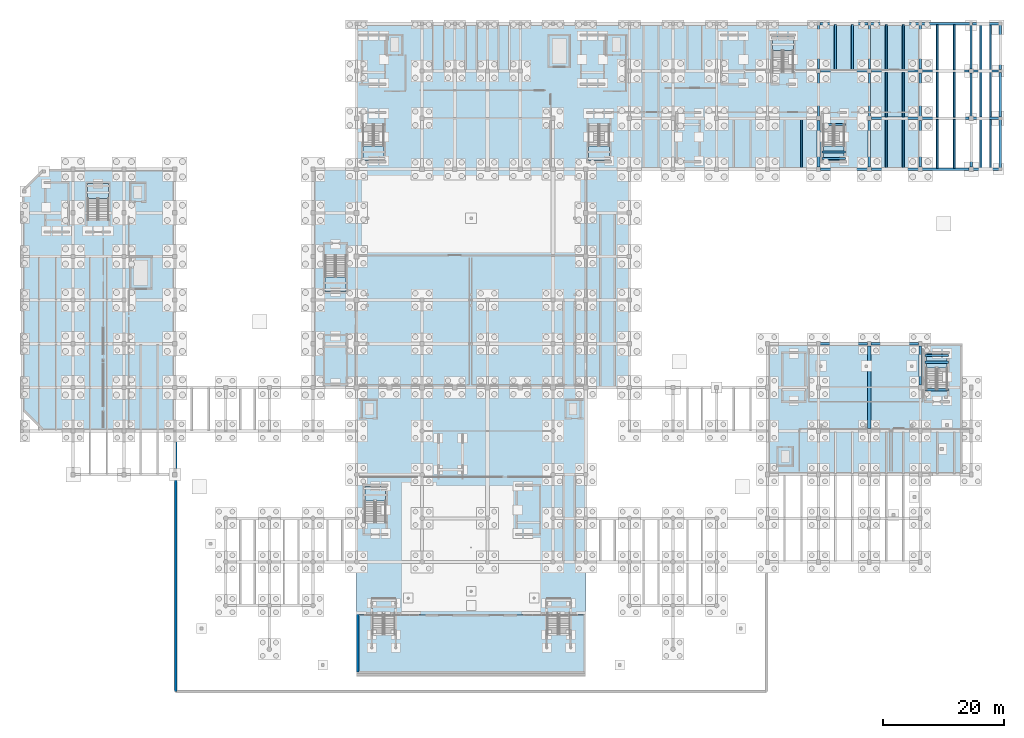
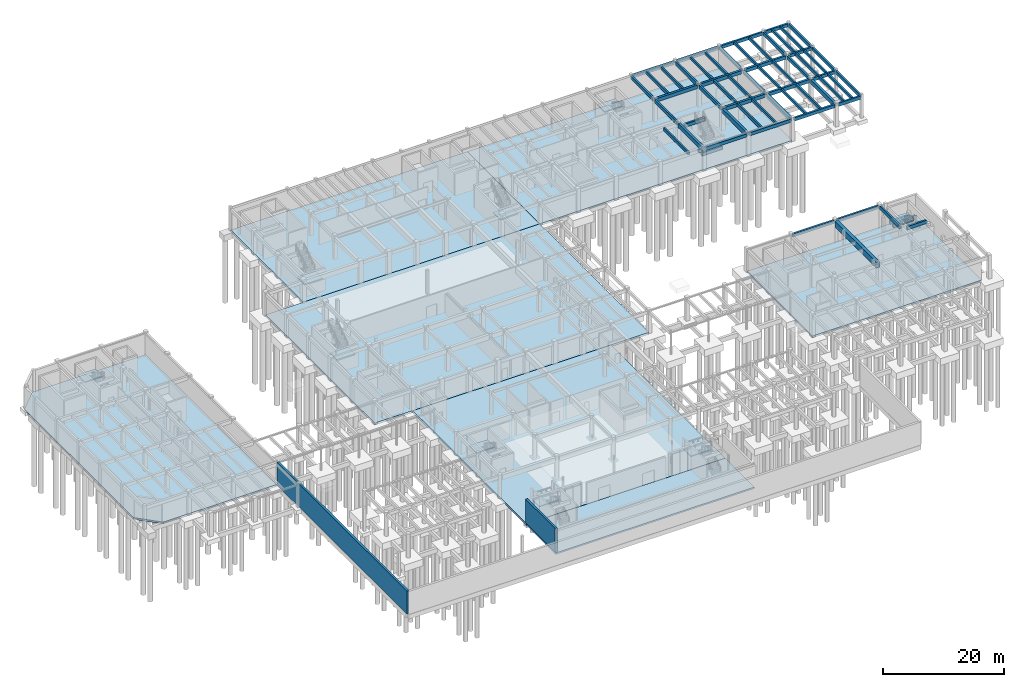
# One storey, part 23 of 46: 61 beams, 17 slabs, 2 walls, 10 elements without a shape of their own.
"""IFC4 building model written with IfcOpenShell, lengths in metres."""

from ifc_helpers import new_model, si_unit, direction, frame, frame_2d, origin, origin_2d, place, context, subcontext, project, spatial, polyline, rectangle, outline, extrude, material, layer, layer_set, material_profile, profile_set, type_object, element, aggregate, save


model = new_model("IFC4")

# Units and contexts
model_context = context("Model", 3, precision=1e-05, world=origin(), true_north=direction((0.0, 1.0)))
body_context = subcontext(model_context, "Body", "Model", "MODEL_VIEW")
ifc_project = project(units=[si_unit("LENGTHUNIT", "METRE"), si_unit("AREAUNIT", "SQUARE_METRE"), si_unit("VOLUMEUNIT", "CUBIC_METRE"), si_unit("PLANEANGLEUNIT", "RADIAN"), si_unit("MASSUNIT", "GRAM", prefix="KILO")], contexts=[model_context])

# Site, building, storey
site_placement = place(None, origin())
site = spatial("IfcSite", under=ifc_project, at=site_placement, CompositionType="ELEMENT")
building_placement = place(site_placement, origin())
building = spatial("IfcBuilding", under=site, at=building_placement, Name="Tazoul Stagehouse", CompositionType="ELEMENT")
storey_placement = place(building_placement, frame((0.0, 0.0, -4.800048828125)))
storey = spatial("IfcBuildingStorey", under=building, at=storey_placement, Name="B1", CompositionType="ELEMENT", Elevation=-4.800048828125)

# Beams
ifc_material_1 = material(Name="Concrete C40/50", Category="concrete")
ifc_material_profile_1 = material_profile(ifc_material_1, rectangle(XDim=0.60009765625, YDim=1.199951171875, at=origin_2d()), Name="RC 600x1200")
ifc_profile_set_1 = profile_set([ifc_material_profile_1], Name="Concrete C40/50")
beam_type_1 = type_object("IfcBeamType", Name="RC Long-Span Girder 600x1200", PredefinedType="BEAM", material=ifc_profile_set_1)
beam_1_placement = place(storey_placement, frame((142.199951171875, 44.97509765625, 3.91796875), z_axis=(0.0, 1.0, 0.0), x_axis=(-1.0, 0.0, 0.0)))
element("IfcBeam", 1, at=beam_1_placement, inside=storey, type_object=beam_type_1, Name="B1 Beam BM-05 21/G-J", PredefinedType="BEAM", context=body_context, shape_type="SweptSolid", body=[
    extrude(rectangle(XDim=0.60009765625, YDim=1.199951171875, at=origin_2d()), origin(), (0.0, 0.0, 1.0), 13.64990234375),
])
ifc_material_profile_2 = material_profile(ifc_material_1, rectangle(XDim=0.35009765625, YDim=0.64990234375, at=origin_2d()), Name="RC 350x650")
ifc_profile_set_2 = profile_set([ifc_material_profile_2], Name="Concrete C40/50")
beam_type_2 = type_object("IfcBeamType", Name="RC Perimeter Spandrel 350x650 (Exterior)", PredefinedType="SPANDREL", material=ifc_profile_set_2)
beam_2_placement = place(storey_placement, frame((134.074951171875, 59.0, 4.193115234375), z_axis=(1.0, 0.0, 0.0), x_axis=(0.0, 1.0, 0.0)))
element("IfcBeam", 2, at=beam_2_placement, inside=storey, type_object=beam_type_2, Name="B1 Beam SP-01E J/20-21", PredefinedType="SPANDREL", context=body_context, shape_type="SweptSolid", body=[
    extrude(rectangle(XDim=0.35009765625, YDim=0.64990234375, at=origin_2d()), origin(), (0.0, 0.0, 1.0), 7.85009765625),
])
beam_3_placement = place(storey_placement, frame((142.47509765625, 59.0, 4.193115234375), z_axis=(1.0, 0.0, 0.0), x_axis=(0.0, 1.0, 0.0)))
element("IfcBeam", 3, at=beam_3_placement, inside=storey, type_object=beam_type_2, Name="B1 Beam SP-01E J/21-22", PredefinedType="SPANDREL", context=body_context, shape_type="SweptSolid", body=[
    extrude(rectangle(XDim=0.35009765625, YDim=0.64990234375, at=origin_2d()), origin(), (0.0, 0.0, 1.0), 7.849853515625),
])
for number, where, z_axis, x_axis, name in (
    (4, (134.125, 87.800048828125, 4.153076171875), (1.0, 0.0, 0.0), (0.0, 1.0, 0.0), "B1 Beam SP-01E N/20-21"),
    (5, (142.52490234375, 87.800048828125, 4.153076171875), (1.0, 0.0, 0.0), (0.0, 1.0, 0.0), "B1 Beam SP-01E N/21-22"),
    (6, (150.925048828125, 87.800048828125, 4.153076171875), (1.0, 0.0, 0.0), (0.0, 1.0, 0.0), "B1 Beam SP-01E N/22-23"),
):
    element("IfcBeam", number, at=place(storey_placement, frame(where, z_axis=z_axis, x_axis=x_axis)), inside=storey, type_object=beam_type_2, Name=name, PredefinedType="SPANDREL", context=body_context, shape_type="SweptSolid", body=[
        extrude(rectangle(XDim=0.35009765625, YDim=0.64990234375, at=origin_2d()), origin(), (0.0, 0.0, 1.0), 7.75),
    ])
beam_4_placement = place(storey_placement, frame((159.324951171875, 87.800048828125, 4.153076171875), z_axis=(1.0, 0.0, 0.0), x_axis=(0.0, 1.0, 0.0)))
element("IfcBeam", 7, at=beam_4_placement, inside=storey, type_object=beam_type_2, Name="B1 Beam SP-01E N/23-24", PredefinedType="SPANDREL", context=body_context, shape_type="SweptSolid", body=[
    extrude(rectangle(XDim=0.35009765625, YDim=0.64990234375, at=origin_2d()), origin(), (0.0, 0.0, 1.0), 4.25),
])
beam_5_placement = place(storey_placement, frame((134.02490234375, 111.800048828125, 4.153076171875), z_axis=(1.0, 0.0, 0.0), x_axis=(0.0, 1.0, 0.0)))
element("IfcBeam", 8, at=beam_5_placement, inside=storey, type_object=beam_type_2, Name="B1 Beam SP-01E R/20-21", PredefinedType="SPANDREL", context=body_context, shape_type="SweptSolid", body=[
    extrude(rectangle(XDim=0.35009765625, YDim=0.64990234375, at=origin_2d()), origin(), (0.0, 0.0, 1.0), 7.9501953125),
])
for number, where, z_axis, x_axis, name in (
    (9, (142.425048828125, 111.800048828125, 4.153076171875), (1.0, 0.0, 0.0), (0.0, 1.0, 0.0), "B1 Beam SP-01E R/21-22"),
    (10, (150.824951171875, 111.800048828125, 4.153076171875), (1.0, 0.0, 0.0), (0.0, 1.0, 0.0), "B1 Beam SP-01E R/22-23"),
):
    element("IfcBeam", number, at=place(storey_placement, frame(where, z_axis=z_axis, x_axis=x_axis)), inside=storey, type_object=beam_type_2, Name=name, PredefinedType="SPANDREL", context=body_context, shape_type="SweptSolid", body=[
        extrude(rectangle(XDim=0.35009765625, YDim=0.64990234375, at=origin_2d()), origin(), (0.0, 0.0, 1.0), 7.949951171875),
    ])
beam_6_placement = place(storey_placement, frame((159.22509765625, 111.800048828125, 4.153076171875), z_axis=(1.0, 0.0, 0.0), x_axis=(0.0, 1.0, 0.0)))
element("IfcBeam", 11, at=beam_6_placement, inside=storey, type_object=beam_type_2, Name="B1 Beam SP-01E R/23-24", PredefinedType="SPANDREL", context=body_context, shape_type="SweptSolid", body=[
    extrude(rectangle(XDim=0.35009765625, YDim=0.64990234375, at=origin_2d()), origin(), (0.0, 0.0, 1.0), 4.349853515625),
])
beam_7_placement = place(storey_placement, frame((163.800048828125, 88.02490234375, 4.153076171875), z_axis=(0.0, 1.0, 0.0), x_axis=(-1.0, 0.0, 0.0)))
element("IfcBeam", 12, at=beam_7_placement, inside=storey, type_object=beam_type_2, Name="B1 Beam SP-01E 24/N-P", PredefinedType="SPANDREL", context=body_context, shape_type="SweptSolid", body=[
    extrude(rectangle(XDim=0.35009765625, YDim=0.64990234375, at=origin_2d()), origin(), (0.0, 0.0, 1.0), 7.9501953125),
])
for number, where, z_axis, x_axis, name in (
    (13, (163.800048828125, 96.425048828125, 4.153076171875), (0.0, 1.0, 0.0), (-1.0, 0.0, 0.0), "B1 Beam SP-01E 24/P-Q"),
    (14, (163.800048828125, 104.22509765625, 4.153076171875), (0.0, 1.0, 0.0), (-1.0, 0.0, 0.0), "B1 Beam SP-01E 24/Q-R"),
):
    element("IfcBeam", number, at=place(storey_placement, frame(where, z_axis=z_axis, x_axis=x_axis)), inside=storey, type_object=beam_type_2, Name=name, PredefinedType="SPANDREL", context=body_context, shape_type="SweptSolid", body=[
        extrude(rectangle(XDim=0.35009765625, YDim=0.64990234375, at=origin_2d()), origin(), (0.0, 0.0, 1.0), 7.349853515625),
    ])
ifc_material_profile_3 = material_profile(ifc_material_1, rectangle(XDim=0.35009765625, YDim=0.64990234375, at=origin_2d()), Name="RC 350x650")
ifc_profile_set_3 = profile_set([ifc_material_profile_3], Name="Concrete C40/50")
beam_type_3 = type_object("IfcBeamType", Name="RC Primary Girder 350x650", PredefinedType="BEAM", material=ifc_profile_set_3)
for number, where, z_axis, x_axis, name in (
    (15, (159.324951171875, 96.199951171875, 4.153076171875), (1.0, 0.0, 0.0), (0.0, 1.0, 0.0), "B1 Beam BM-01 P/23-24"),
    (16, (159.324951171875, 104.0, 4.153076171875), (1.0, 0.0, 0.0), (0.0, 1.0, 0.0), "B1 Beam BM-01 Q/23-24"),
):
    element("IfcBeam", number, at=place(storey_placement, frame(where, z_axis=z_axis, x_axis=x_axis)), inside=storey, type_object=beam_type_3, Name=name, PredefinedType="BEAM", context=body_context, shape_type="SweptSolid", body=[
        extrude(rectangle(XDim=0.35009765625, YDim=0.64990234375, at=origin_2d()), origin(), (0.0, 0.0, 1.0), 4.25),
    ])
beam_8_placement = place(storey_placement, frame((133.800048828125, 96.52490234375, 4.153076171875), z_axis=(0.0, 1.0, 0.0), x_axis=(-1.0, 0.0, 0.0)))
element("IfcBeam", 17, at=beam_8_placement, inside=storey, type_object=beam_type_3, Name="B1 Beam BM-01 20/P-Q", PredefinedType="BEAM", context=body_context, shape_type="SweptSolid", body=[
    extrude(rectangle(XDim=0.35009765625, YDim=0.64990234375, at=origin_2d()), origin(), (0.0, 0.0, 1.0), 7.150146484375),
])
beam_9_placement = place(storey_placement, frame((133.800048828125, 104.324951171875, 4.153076171875), z_axis=(0.0, 1.0, 0.0), x_axis=(-1.0, 0.0, 0.0)))
element("IfcBeam", 18, at=beam_9_placement, inside=storey, type_object=beam_type_3, Name="B1 Beam BM-01 20/Q-R", PredefinedType="BEAM", context=body_context, shape_type="SweptSolid", body=[
    extrude(rectangle(XDim=0.35009765625, YDim=0.64990234375, at=origin_2d()), origin(), (0.0, 0.0, 1.0), 7.25),
])
beam_10_placement = place(storey_placement, frame((142.199951171875, 96.52490234375, 4.153076171875), z_axis=(0.0, 1.0, 0.0), x_axis=(-1.0, 0.0, 0.0)))
element("IfcBeam", 19, at=beam_10_placement, inside=storey, type_object=beam_type_3, Name="B1 Beam BM-01 21/P-Q", PredefinedType="BEAM", context=body_context, shape_type="SweptSolid", body=[
    extrude(rectangle(XDim=0.35009765625, YDim=0.64990234375, at=origin_2d()), origin(), (0.0, 0.0, 1.0), 7.150146484375),
])
beam_11_placement = place(storey_placement, frame((142.199951171875, 104.324951171875, 4.153076171875), z_axis=(0.0, 1.0, 0.0), x_axis=(-1.0, 0.0, 0.0)))
element("IfcBeam", 20, at=beam_11_placement, inside=storey, type_object=beam_type_3, Name="B1 Beam BM-01 21/Q-R", PredefinedType="BEAM", context=body_context, shape_type="SweptSolid", body=[
    extrude(rectangle(XDim=0.35009765625, YDim=0.64990234375, at=origin_2d()), origin(), (0.0, 0.0, 1.0), 7.25),
])
beam_12_placement = place(storey_placement, frame((150.60009765625, 52.175048828125, 4.193115234375), z_axis=(0.0, 1.0, 0.0), x_axis=(-1.0, 0.0, 0.0)))
element("IfcBeam", 21, at=beam_12_placement, inside=storey, type_object=beam_type_3, Name="B1 Beam BM-01 22/H-J", PredefinedType="BEAM", context=body_context, shape_type="SweptSolid", body=[
    extrude(rectangle(XDim=0.35009765625, YDim=0.64990234375, at=origin_2d()), origin(), (0.0, 0.0, 1.0), 6.449951171875),
])
beam_13_placement = place(storey_placement, frame((150.60009765625, 96.52490234375, 4.153076171875), z_axis=(0.0, 1.0, 0.0), x_axis=(-1.0, 0.0, 0.0)))
element("IfcBeam", 22, at=beam_13_placement, inside=storey, type_object=beam_type_3, Name="B1 Beam BM-01 22/P-Q", PredefinedType="BEAM", context=body_context, shape_type="SweptSolid", body=[
    extrude(rectangle(XDim=0.35009765625, YDim=0.64990234375, at=origin_2d()), origin(), (0.0, 0.0, 1.0), 7.150146484375),
])
beam_14_placement = place(storey_placement, frame((150.60009765625, 104.324951171875, 4.153076171875), z_axis=(0.0, 1.0, 0.0), x_axis=(-1.0, 0.0, 0.0)))
element("IfcBeam", 23, at=beam_14_placement, inside=storey, type_object=beam_type_3, Name="B1 Beam BM-01 22/Q-R", PredefinedType="BEAM", context=body_context, shape_type="SweptSolid", body=[
    extrude(rectangle(XDim=0.35009765625, YDim=0.64990234375, at=origin_2d()), origin(), (0.0, 0.0, 1.0), 7.25),
])
beam_15_placement = place(storey_placement, frame((159.0, 96.52490234375, 4.153076171875), z_axis=(0.0, 1.0, 0.0), x_axis=(-1.0, 0.0, 0.0)))
element("IfcBeam", 24, at=beam_15_placement, inside=storey, type_object=beam_type_3, Name="B1 Beam BM-01 23/P-Q", PredefinedType="BEAM", context=body_context, shape_type="SweptSolid", body=[
    extrude(rectangle(XDim=0.35009765625, YDim=0.64990234375, at=origin_2d()), origin(), (0.0, 0.0, 1.0), 7.150146484375),
])
beam_16_placement = place(storey_placement, frame((159.0, 104.324951171875, 4.153076171875), z_axis=(0.0, 1.0, 0.0), x_axis=(-1.0, 0.0, 0.0)))
element("IfcBeam", 25, at=beam_16_placement, inside=storey, type_object=beam_type_3, Name="B1 Beam BM-01 23/Q-R", PredefinedType="BEAM", context=body_context, shape_type="SweptSolid", body=[
    extrude(rectangle(XDim=0.35009765625, YDim=0.64990234375, at=origin_2d()), origin(), (0.0, 0.0, 1.0), 7.25),
])
for number, where, z_axis, x_axis, name in (
    (26, (134.419921875, 89.550048828125, 1.880126953125), (1.0, 0.0, 0.0), (0.0, 1.0, 0.0), "B1 Stair Half-Landing Trimmer BM-01 (ST-B4-1)"),
    (27, (134.419921875, 90.64990234375, 1.880126953125), (1.0, 0.0, 0.0), (0.0, 1.0, 0.0), "B1 Stair Half-Landing Trimmer BM-01 (ST-B4-2)"),
    (28, (134.419921875, 95.199951171875, 4.195068359375), (1.0, 0.0, 0.0), (0.0, 1.0, 0.0), "B1 Stair Landing Trimmer BM-01 (ST-B4-FL)"),
    (29, (151.419921875, 55.949951171875, 1.880126953125), (1.0, 0.0, 0.0), (0.0, 1.0, 0.0), "B1 Stair Half-Landing Trimmer BM-01 (ST-B7-1)"),
    (30, (151.419921875, 57.050048828125, 1.880126953125), (1.0, 0.0, 0.0), (0.0, 1.0, 0.0), "B1 Stair Half-Landing Trimmer BM-01 (ST-B7-2)"),
    (31, (151.419921875, 51.39990234375, 4.195068359375), (1.0, 0.0, 0.0), (0.0, 1.0, 0.0), "B1 Stair Landing Trimmer BM-01 (ST-B7-FL)"),
):
    element("IfcBeam", number, at=place(storey_placement, frame(where, z_axis=z_axis, x_axis=x_axis)), inside=storey, type_object=beam_type_3, Name=name, PredefinedType="BEAM", context=body_context, shape_type="SweptSolid", body=[
        extrude(rectangle(XDim=0.35009765625, YDim=0.64990234375, at=origin_2d()), origin(), (0.0, 0.0, 1.0), 3.81005859375),
    ])
ifc_material_profile_4 = material_profile(ifc_material_1, rectangle(XDim=0.39990234375, YDim=0.699951171875, at=origin_2d()), Name="RC 400x700")
ifc_profile_set_4 = profile_set([ifc_material_profile_4], Name="Concrete C40/50")
beam_type_4 = type_object("IfcBeamType", Name="RC Primary Girder 400x700", PredefinedType="BEAM", material=ifc_profile_set_4)
for number, where, z_axis, x_axis, name in (
    (32, (142.52490234375, 96.199951171875, 4.1279296875), (1.0, 0.0, 0.0), (0.0, 1.0, 0.0), "B1 Beam BM-02 P/21-22"),
    (33, (150.925048828125, 96.199951171875, 4.1279296875), (1.0, 0.0, 0.0), (0.0, 1.0, 0.0), "B1 Beam BM-02 P/22-23"),
    (34, (134.125, 104.0, 4.1279296875), (1.0, 0.0, 0.0), (0.0, 1.0, 0.0), "B1 Beam BM-02 Q/20-21"),
    (35, (142.52490234375, 104.0, 4.1279296875), (1.0, 0.0, 0.0), (0.0, 1.0, 0.0), "B1 Beam BM-02 Q/21-22"),
    (36, (150.925048828125, 104.0, 4.1279296875), (1.0, 0.0, 0.0), (0.0, 1.0, 0.0), "B1 Beam BM-02 Q/22-23"),
):
    element("IfcBeam", number, at=place(storey_placement, frame(where, z_axis=z_axis, x_axis=x_axis)), inside=storey, type_object=beam_type_4, Name=name, PredefinedType="BEAM", context=body_context, shape_type="SweptSolid", body=[
        extrude(rectangle(XDim=0.39990234375, YDim=0.699951171875, at=origin_2d()), origin(), (0.0, 0.0, 1.0), 7.75),
    ])
ifc_material_profile_5 = material_profile(ifc_material_1, rectangle(XDim=0.449951171875, YDim=0.85009765625, at=origin_2d()), Name="RC 450x850")
ifc_profile_set_5 = profile_set([ifc_material_profile_5], Name="Concrete C40/50")
beam_type_5 = type_object("IfcBeamType", Name="RC Primary Girder 450x850", PredefinedType="BEAM", material=ifc_profile_set_5)
for number, where, z_axis, x_axis, name in (
    (37, (133.800048828125, 88.125, 4.052978515625), (0.0, 1.0, 0.0), (-1.0, 0.0, 0.0), "B1 Beam BM-03 20/N-P"),
    (38, (142.199951171875, 88.125, 4.052978515625), (0.0, 1.0, 0.0), (-1.0, 0.0, 0.0), "B1 Beam BM-03 21/N-P"),
    (39, (150.60009765625, 88.125, 4.052978515625), (0.0, 1.0, 0.0), (-1.0, 0.0, 0.0), "B1 Beam BM-03 22/N-P"),
    (40, (159.0, 88.125, 4.052978515625), (0.0, 1.0, 0.0), (-1.0, 0.0, 0.0), "B1 Beam BM-03 23/N-P"),
):
    element("IfcBeam", number, at=place(storey_placement, frame(where, z_axis=z_axis, x_axis=x_axis)), inside=storey, type_object=beam_type_5, Name=name, PredefinedType="BEAM", context=body_context, shape_type="SweptSolid", body=[
        extrude(rectangle(XDim=0.449951171875, YDim=0.85009765625, at=origin_2d()), origin(), (0.0, 0.0, 1.0), 7.75),
    ])
ifc_material_2 = material(Name="Concrete C35/45", Category="concrete")
ifc_material_profile_6 = material_profile(ifc_material_2, rectangle(XDim=0.300048828125, YDim=0.550048828125, at=origin_2d()), Name="RC 300x550")
ifc_profile_set_6 = profile_set([ifc_material_profile_6], Name="Concrete C35/45")
beam_type_6 = type_object("IfcBeamType", Name="RC Rib Joist 300x550", PredefinedType="JOIST", material=ifc_profile_set_6)
for number, where, z_axis, x_axis, name in (
    (41, (131.0, 87.949951171875, 4.203125), (0.0, 1.0, 0.0), (-1.0, 0.0, 0.0), "B1 Joist JS-06 19/N-2"),
    (42, (145.0, 87.949951171875, 4.203125), (0.0, 1.0, 0.0), (-1.0, 0.0, 0.0), "B1 Joist JS-06 21/N-1"),
    (43, (147.800048828125, 87.949951171875, 4.203125), (0.0, 1.0, 0.0), (-1.0, 0.0, 0.0), "B1 Joist JS-06 21/N-2"),
    (44, (153.39990234375, 87.949951171875, 4.203125), (0.0, 1.0, 0.0), (-1.0, 0.0, 0.0), "B1 Joist JS-06 22/N-1"),
    (45, (156.199951171875, 87.949951171875, 4.203125), (0.0, 1.0, 0.0), (-1.0, 0.0, 0.0), "B1 Joist JS-06 22/N-2"),
):
    element("IfcBeam", number, at=place(storey_placement, frame(where, z_axis=z_axis, x_axis=x_axis)), inside=storey, type_object=beam_type_6, Name=name, PredefinedType="JOIST", context=body_context, shape_type="SweptSolid", body=[
        extrude(rectangle(XDim=0.300048828125, YDim=0.550048828125, at=origin_2d()), origin(), (0.0, 0.0, 1.0), 8.074951171875),
    ])
for number, where, z_axis, x_axis, name in (
    (46, (160.60009765625, 87.949951171875, 4.203125), (0.0, 1.0, 0.0), (-1.0, 0.0, 0.0), "B1 Joist JS-06 23/N-1"),
    (47, (162.199951171875, 87.949951171875, 4.203125), (0.0, 1.0, 0.0), (-1.0, 0.0, 0.0), "B1 Joist JS-06 23/N-2"),
):
    element("IfcBeam", number, at=place(storey_placement, frame(where, z_axis=z_axis, x_axis=x_axis)), inside=storey, type_object=beam_type_6, Name=name, PredefinedType="JOIST", context=body_context, shape_type="SweptSolid", body=[
        extrude(rectangle(XDim=0.300048828125, YDim=0.550048828125, at=origin_2d()), origin(), (0.0, 0.0, 1.0), 8.10009765625),
    ])
for number, where, z_axis, x_axis, name in (
    (48, (145.0, 96.375, 4.203125), (0.0, 1.0, 0.0), (-1.0, 0.0, 0.0), "B1 Joist JS-06 21/P-1"),
    (49, (147.800048828125, 96.375, 4.203125), (0.0, 1.0, 0.0), (-1.0, 0.0, 0.0), "B1 Joist JS-06 21/P-2"),
    (50, (153.39990234375, 96.375, 4.203125), (0.0, 1.0, 0.0), (-1.0, 0.0, 0.0), "B1 Joist JS-06 22/P-1"),
    (51, (156.199951171875, 96.375, 4.203125), (0.0, 1.0, 0.0), (-1.0, 0.0, 0.0), "B1 Joist JS-06 22/P-2"),
):
    element("IfcBeam", number, at=place(storey_placement, frame(where, z_axis=z_axis, x_axis=x_axis)), inside=storey, type_object=beam_type_6, Name=name, PredefinedType="JOIST", context=body_context, shape_type="SweptSolid", body=[
        extrude(rectangle(XDim=0.300048828125, YDim=0.550048828125, at=origin_2d()), origin(), (0.0, 0.0, 1.0), 7.449951171875),
    ])
for number, where, z_axis, x_axis, name in (
    (52, (160.60009765625, 96.35009765625, 4.203125), (0.0, 1.0, 0.0), (-1.0, 0.0, 0.0), "B1 Joist JS-06 23/P-1"),
    (53, (162.199951171875, 96.35009765625, 4.203125), (0.0, 1.0, 0.0), (-1.0, 0.0, 0.0), "B1 Joist JS-06 23/P-2"),
):
    element("IfcBeam", number, at=place(storey_placement, frame(where, z_axis=z_axis, x_axis=x_axis)), inside=storey, type_object=beam_type_6, Name=name, PredefinedType="JOIST", context=body_context, shape_type="SweptSolid", body=[
        extrude(rectangle(XDim=0.300048828125, YDim=0.550048828125, at=origin_2d()), origin(), (0.0, 0.0, 1.0), 7.5),
    ])
for number, where, z_axis, x_axis, name in (
    (54, (136.60009765625, 104.175048828125, 4.203125), (0.0, 1.0, 0.0), (-1.0, 0.0, 0.0), "B1 Joist JS-06 20/Q-1"),
    (55, (139.39990234375, 104.175048828125, 4.203125), (0.0, 1.0, 0.0), (-1.0, 0.0, 0.0), "B1 Joist JS-06 20/Q-2"),
    (56, (145.0, 104.175048828125, 4.203125), (0.0, 1.0, 0.0), (-1.0, 0.0, 0.0), "B1 Joist JS-06 21/Q-1"),
    (57, (147.800048828125, 104.175048828125, 4.203125), (0.0, 1.0, 0.0), (-1.0, 0.0, 0.0), "B1 Joist JS-06 21/Q-2"),
    (58, (153.39990234375, 104.175048828125, 4.203125), (0.0, 1.0, 0.0), (-1.0, 0.0, 0.0), "B1 Joist JS-06 22/Q-1"),
    (59, (156.199951171875, 104.175048828125, 4.203125), (0.0, 1.0, 0.0), (-1.0, 0.0, 0.0), "B1 Joist JS-06 22/Q-2"),
):
    element("IfcBeam", number, at=place(storey_placement, frame(where, z_axis=z_axis, x_axis=x_axis)), inside=storey, type_object=beam_type_6, Name=name, PredefinedType="JOIST", context=body_context, shape_type="SweptSolid", body=[
        extrude(rectangle(XDim=0.300048828125, YDim=0.550048828125, at=origin_2d()), origin(), (0.0, 0.0, 1.0), 7.474853515625),
    ])
for number, where, z_axis, x_axis, name in (
    (60, (160.60009765625, 104.14990234375, 4.203125), (0.0, 1.0, 0.0), (-1.0, 0.0, 0.0), "B1 Joist JS-06 23/Q-1"),
    (61, (162.199951171875, 104.14990234375, 4.203125), (0.0, 1.0, 0.0), (-1.0, 0.0, 0.0), "B1 Joist JS-06 23/Q-2"),
):
    element("IfcBeam", number, at=place(storey_placement, frame(where, z_axis=z_axis, x_axis=x_axis)), inside=storey, type_object=beam_type_6, Name=name, PredefinedType="JOIST", context=body_context, shape_type="SweptSolid", body=[
        extrude(rectangle(XDim=0.300048828125, YDim=0.550048828125, at=origin_2d()), origin(), (0.0, 0.0, 1.0), 7.5),
    ])

# Slabs
ifc_layer_1 = layer(ifc_material_2, 0.3798828125, Name="Concrete C35/45")
ifc_layer_set_1 = layer_set([ifc_layer_1], Name="Concrete C35/45")
slab_type_1 = type_object("IfcSlabType", Name="Base Mat Slab 380", PredefinedType="BASESLAB", material=ifc_layer_set_1)
slab_1_placement = place(storey_placement, frame((0.0, 0.0, -0.3798828125)))
element("IfcSlab", 62, at=slab_1_placement, inside=storey, type_object=slab_type_1, Name="B1 Base Mat Slab 380 (V3)", PredefinedType="BASESLAB", context=body_context, shape_type="SweptSolid", body=[
    extrude(outline(polyline([(102.60009765625, 87.800048828125), (102.60009765625, 111.800048828125), (150.60009765625, 111.800048828125), (150.60009765625, 87.800048828125), (102.60009765625, 87.800048828125)])), origin(), (0.0, 0.0, 1.0), 0.3798828125),
])
slab_2_placement = place(storey_placement, frame((0.0, 0.0, -0.3798828125)))
element("IfcSlab", 63, at=slab_2_placement, inside=storey, type_object=slab_type_1, Name="B1 Base Mat Slab 380 (V4)", PredefinedType="BASESLAB", context=body_context, shape_type="SweptSolid", body=[
    extrude(outline(polyline([(125.39990234375, 37.39990234375), (125.39990234375, 59.0), (157.60009765625, 59.0), (157.60009765625, 37.39990234375), (125.39990234375, 37.39990234375)])), origin(), (0.0, 0.0, 1.0), 0.3798828125),
])
slab_3_placement = place(storey_placement, frame((0.0, 0.0, -0.3798828125)))
element("IfcSlab", 64, at=slab_3_placement, inside=storey, type_object=slab_type_1, Name="B1 Base Mat Slab 380 (V6)", PredefinedType="BASESLAB", context=body_context, shape_type="SweptSolid", body=[
    extrude(outline(polyline([(6.0, 44.60009765625), (2.39990234375, 48.199951171875), (2.39990234375, 84.199951171875), (6.0, 87.800048828125), (27.60009765625, 87.800048828125), (27.60009765625, 44.60009765625), (6.0, 44.60009765625)])), origin(), (0.0, 0.0, 1.0), 0.3798828125),
])
ifc_layer_2 = layer(ifc_material_2, 0.39990234375, Name="Concrete C35/45")
ifc_layer_set_2 = layer_set([ifc_layer_2], Name="Concrete C35/45")
slab_type_2 = type_object("IfcSlabType", Name="Base Mat Slab 400", PredefinedType="BASESLAB", material=ifc_layer_set_2)
slab_4_placement = place(storey_placement, frame((0.0, 0.0, -0.39990234375)))
element("IfcSlab", 65, at=slab_4_placement, inside=storey, type_object=slab_type_2, Name="B1 Base Mat Slab 400 (V1)", PredefinedType="BASESLAB", context=body_context, shape_type="SweptSolid", body=[
    extrude(outline(polyline([(50.39990234375, 51.800048828125), (50.39990234375, 87.800048828125), (102.60009765625, 87.800048828125), (102.60009765625, 51.800048828125), (50.39990234375, 51.800048828125)])), origin(), (0.0, 0.0, 1.0), 0.39990234375),
])
slab_5_placement = place(storey_placement, frame((0.0, 0.0, -0.39990234375)))
element("IfcSlab", 66, at=slab_5_placement, inside=storey, type_object=slab_type_2, Name="B1 Base Mat Slab 400 (V2)", PredefinedType="BASESLAB", context=body_context, shape_type="SweptSolid", body=[
    extrude(outline(polyline([(57.60009765625, 87.800048828125), (57.60009765625, 111.800048828125), (102.60009765625, 111.800048828125), (102.60009765625, 87.800048828125), (57.60009765625, 87.800048828125)])), origin(), (0.0, 0.0, 1.0), 0.39990234375),
])
slab_6_placement = place(storey_placement, frame((0.0, 0.0, -0.39990234375)))
element("IfcSlab", 67, at=slab_6_placement, inside=storey, type_object=slab_type_2, Name="B1 Base Mat Slab 400 (V5)", PredefinedType="BASESLAB", context=body_context, shape_type="SweptSolid", body=[
    extrude(outline(polyline([(57.60009765625, 14.199951171875), (57.60009765625, 51.800048828125), (95.39990234375, 51.800048828125), (95.39990234375, 14.199951171875), (57.60009765625, 14.199951171875)])), origin(), (0.0, 0.0, 1.0), 0.39990234375),
])

# Stair, slab
stair_type_1 = type_object("IfcStairType", Name="Dissociated Basement Escape Stair 4800", PredefinedType="HALF_TURN_STAIR", material=ifc_material_1)
stair_1_placement = place(storey_placement, origin())
stair_1 = element("IfcStair", 68, at=stair_1_placement, inside=storey, type_object=stair_type_1, Name="B1 Basement Escape Stair ST-B1", PredefinedType="HALF_TURN_STAIR")
ifc_layer_3 = layer(ifc_material_1, 0.179931640625, Name="Concrete C40/50")
ifc_layer_set_3 = layer_set([ifc_layer_3], Name="Concrete C40/50")
slab_type_3 = type_object("IfcSlabType", Name="Core Half-Landing Slab 180", PredefinedType="LANDING", material=ifc_layer_set_3)
slab_7_placement = place(storey_placement, frame((0.0, 0.0, 2.199951171875)))
slab_7 = element("IfcSlab", 69, at=slab_7_placement, type_object=slab_type_3, Name="ST-B1 landing 1", PredefinedType="LANDING", context=body_context, shape_type="SweptSolid", body=[
    extrude(outline(polyline([(95.85009765625, 91.60009765625), (95.85009765625, 89.199951171875), (99.300048828125, 89.199951171875), (99.300048828125, 91.60009765625), (95.85009765625, 91.60009765625)])), origin(), (0.0, 0.0, 1.0), 0.2001953125),
])
aggregate(stair_1, [slab_7])

stair_2_placement = place(storey_placement, origin())
stair_2 = element("IfcStair", 70, at=stair_2_placement, inside=storey, type_object=stair_type_1, Name="B1 Basement Escape Stair ST-B2", PredefinedType="HALF_TURN_STAIR")
slab_8_placement = place(storey_placement, frame((0.0, 0.0, 2.199951171875)))
slab_8 = element("IfcSlab", 71, at=slab_8_placement, type_object=slab_type_3, Name="ST-B2 landing 1", PredefinedType="LANDING", context=body_context, shape_type="SweptSolid", body=[
    extrude(outline(polyline([(129.64990234375, 107.39990234375), (129.64990234375, 109.800048828125), (126.199951171875, 109.800048828125), (126.199951171875, 107.39990234375), (129.64990234375, 107.39990234375)])), origin(), (0.0, 0.0, 1.0), 0.2001953125),
])
aggregate(stair_2, [slab_8])

stair_3_placement = place(storey_placement, origin())
stair_3 = element("IfcStair", 72, at=stair_3_placement, inside=storey, type_object=stair_type_1, Name="B1 Basement Escape Stair ST-B3", PredefinedType="HALF_TURN_STAIR")
slab_9_placement = place(storey_placement, frame((0.0, 0.0, 2.199951171875)))
slab_9 = element("IfcSlab", 73, at=slab_9_placement, type_object=slab_type_3, Name="ST-B3 landing 1", PredefinedType="LANDING", context=body_context, shape_type="SweptSolid", body=[
    extrude(outline(polyline([(58.64990234375, 91.60009765625), (58.64990234375, 89.199951171875), (62.10009765625, 89.199951171875), (62.10009765625, 91.60009765625), (58.64990234375, 91.60009765625)])), origin(), (0.0, 0.0, 1.0), 0.2001953125),
])
aggregate(stair_3, [slab_9])

stair_4_placement = place(storey_placement, origin())
stair_4 = element("IfcStair", 74, at=stair_4_placement, inside=storey, type_object=stair_type_1, Name="B1 Basement Escape Stair ST-B4", PredefinedType="HALF_TURN_STAIR")
slab_10_placement = place(storey_placement, frame((0.0, 0.0, 2.199951171875)))
slab_10 = element("IfcSlab", 75, at=slab_10_placement, type_object=slab_type_3, Name="ST-B4 landing 1", PredefinedType="LANDING", context=body_context, shape_type="SweptSolid", body=[
    extrude(outline(polyline([(134.60009765625, 91.60009765625), (134.60009765625, 89.199951171875), (138.050048828125, 89.199951171875), (138.050048828125, 91.60009765625), (134.60009765625, 91.60009765625)])), origin(), (0.0, 0.0, 1.0), 0.2001953125),
])
aggregate(stair_4, [slab_10])

stair_5_placement = place(storey_placement, origin())
stair_5 = element("IfcStair", 76, at=stair_5_placement, inside=storey, type_object=stair_type_1, Name="B1 Basement Escape Stair ST-B5", PredefinedType="HALF_TURN_STAIR")
slab_11_placement = place(storey_placement, frame((0.0, 0.0, 2.199951171875)))
slab_11 = element("IfcSlab", 77, at=slab_11_placement, type_object=slab_type_3, Name="ST-B5 landing 1", PredefinedType="LANDING", context=body_context, shape_type="SweptSolid", body=[
    extrude(outline(polyline([(52.39990234375, 70.0), (52.39990234375, 67.60009765625), (55.85009765625, 67.60009765625), (55.85009765625, 70.0), (52.39990234375, 70.0)])), origin(), (0.0, 0.0, 1.0), 0.2001953125),
])
aggregate(stair_5, [slab_11])

stair_6_placement = place(storey_placement, origin())
stair_6 = element("IfcStair", 78, at=stair_6_placement, inside=storey, type_object=stair_type_1, Name="B1 Basement Escape Stair ST-B6", PredefinedType="HALF_TURN_STAIR")
slab_12_placement = place(storey_placement, frame((0.0, 0.0, 2.199951171875)))
slab_12 = element("IfcSlab", 79, at=slab_12_placement, type_object=slab_type_3, Name="ST-B6 landing 1", PredefinedType="LANDING", context=body_context, shape_type="SweptSolid", body=[
    extrude(outline(polyline([(16.64990234375, 83.0), (16.64990234375, 85.39990234375), (13.199951171875, 85.39990234375), (13.199951171875, 83.0), (16.64990234375, 83.0)])), origin(), (0.0, 0.0, 1.0), 0.2001953125),
])
aggregate(stair_6, [slab_12])

stair_7_placement = place(storey_placement, origin())
stair_7 = element("IfcStair", 80, at=stair_7_placement, inside=storey, type_object=stair_type_1, Name="B1 Basement Escape Stair ST-B7", PredefinedType="HALF_TURN_STAIR")
slab_13_placement = place(storey_placement, frame((0.0, 0.0, 2.199951171875)))
slab_13 = element("IfcSlab", 81, at=slab_13_placement, type_object=slab_type_3, Name="ST-B7 landing 1", PredefinedType="LANDING", context=body_context, shape_type="SweptSolid", body=[
    extrude(outline(polyline([(155.050048828125, 55.0), (155.050048828125, 57.39990234375), (151.60009765625, 57.39990234375), (151.60009765625, 55.0), (155.050048828125, 55.0)])), origin(), (0.0, 0.0, 1.0), 0.2001953125),
])
aggregate(stair_7, [slab_13])

stair_8_placement = place(storey_placement, origin())
stair_8 = element("IfcStair", 82, at=stair_8_placement, inside=storey, type_object=stair_type_1, Name="B1 Basement Escape Stair ST-B8", PredefinedType="HALF_TURN_STAIR")
slab_14_placement = place(storey_placement, frame((0.0, 0.0, 2.199951171875)))
slab_14 = element("IfcSlab", 83, at=slab_14_placement, type_object=slab_type_3, Name="ST-B8 landing 1", PredefinedType="LANDING", context=body_context, shape_type="SweptSolid", body=[
    extrude(outline(polyline([(62.39990234375, 33.080078125), (62.39990234375, 35.47998046875), (58.949951171875, 35.47998046875), (58.949951171875, 33.080078125), (62.39990234375, 33.080078125)])), origin(), (0.0, 0.0, 1.0), 0.2001953125),
])
aggregate(stair_8, [slab_14])

stair_type_2 = type_object("IfcStairType", Name="Sunken Metro Amphitheatre Stair", PredefinedType="HALF_TURN_STAIR", material=ifc_material_1)
stair_9_placement = place(storey_placement, origin())
stair_9 = element("IfcStair", 84, at=stair_9_placement, inside=storey, type_object=stair_type_2, Name="B1 Civic Feature Stair ST-AMP-W", PredefinedType="HALF_TURN_STAIR")
slab_15_placement = place(storey_placement, frame((0.0, 0.0, 2.199951171875)))
slab_15 = element("IfcSlab", 85, at=slab_15_placement, type_object=slab_type_3, Name="ST-AMP-W landing 1", PredefinedType="LANDING", context=body_context, shape_type="SweptSolid", body=[
    extrude(outline(polyline([(63.949951171875, 14.60009765625), (63.949951171875, 17.0), (60.199951171875, 17.0), (60.199951171875, 14.60009765625), (63.949951171875, 14.60009765625)])), origin(), (0.0, 0.0, 1.0), 0.2001953125),
])
aggregate(stair_9, [slab_15])

stair_10_placement = place(storey_placement, origin())
stair_10 = element("IfcStair", 86, at=stair_10_placement, inside=storey, type_object=stair_type_2, Name="B1 Civic Feature Stair ST-AMP-E", PredefinedType="HALF_TURN_STAIR")
slab_16_placement = place(storey_placement, frame((0.0, 0.0, 2.199951171875)))
slab_16 = element("IfcSlab", 87, at=slab_16_placement, type_object=slab_type_3, Name="ST-AMP-E landing 1", PredefinedType="LANDING", context=body_context, shape_type="SweptSolid", body=[
    extrude(outline(polyline([(92.800048828125, 14.60009765625), (92.800048828125, 17.0), (89.050048828125, 17.0), (89.050048828125, 14.60009765625), (92.800048828125, 14.60009765625)])), origin(), (0.0, 0.0, 1.0), 0.2001953125),
])
aggregate(stair_10, [slab_16])

# Slab
ifc_layer_4 = layer(ifc_material_2, 0.300048828125, Name="Concrete C35/45")
ifc_layer_set_4 = layer_set([ifc_layer_4], Name="Concrete C35/45")
slab_type_4 = type_object("IfcSlabType", Name="Sunken Court Paving Slab 300", PredefinedType="BASESLAB", material=ifc_layer_set_4)
slab_17_placement = place(storey_placement, frame((0.0, 0.0, -0.300048828125)))
element("IfcSlab", 88, at=slab_17_placement, inside=storey, type_object=slab_type_4, Name="B1 Sunken Court Paving Slab 300 (V5)", PredefinedType="BASESLAB", context=body_context, shape_type="SweptSolid", body=[
    extrude(outline(polyline([(57.60009765625, 4.60009765625), (57.60009765625, 14.195068359375), (95.39990234375, 14.195068359375), (95.39990234375, 4.60009765625), (57.60009765625, 4.60009765625)])), origin(), (0.0, 0.0, 1.0), 0.300048828125),
])

# Walls
ifc_layer_5 = layer(ifc_material_2, 0.39990234375, Name="Concrete C35/45")
ifc_layer_set_5 = layer_set([ifc_layer_5], Name="Concrete C35/45")
wall_type = type_object("IfcWallType", Name="Basement Waterproofed Retaining Wall 400", PredefinedType="SOLIDWALL", material=ifc_layer_set_5)
wall_1_placement = place(storey_placement, frame((27.75, 1.580078125, 0.0), z_axis=(0.0, 0.0, 1.0), x_axis=(0.0, 1.0, 0.0)))
element("IfcWall", 89, at=wall_1_placement, inside=storey, type_object=wall_type, Name="B1 Wall RW-400 (PLINTH-L00-W)", PredefinedType="SOLIDWALL", context=body_context, shape_type="SweptSolid", body=[
    extrude(rectangle(XDim=42.81982421875, YDim=0.39990234375, at=frame_2d((21.409912109375, 0.0))), origin(), (0.0, 0.0, 1.0), 4.630126953125),
])
wall_2_placement = place(storey_placement, frame((57.800048828125, 4.800048828125, 0.0), z_axis=(0.0, 0.0, 1.0), x_axis=(0.0, 1.0, 0.0)))
element("IfcWall", 90, at=wall_2_placement, inside=storey, type_object=wall_type, Name="B1 Wall RW-400 (WALL-B1-COURT-W)", PredefinedType="SOLIDWALL", context=body_context, shape_type="SweptSolid", body=[
    extrude(rectangle(XDim=9.75, YDim=0.39990234375, at=frame_2d((4.875, 0.0))), origin(), (0.0, 0.0, 1.0), 4.780029296875),
])

save(model, "model.ifc")
